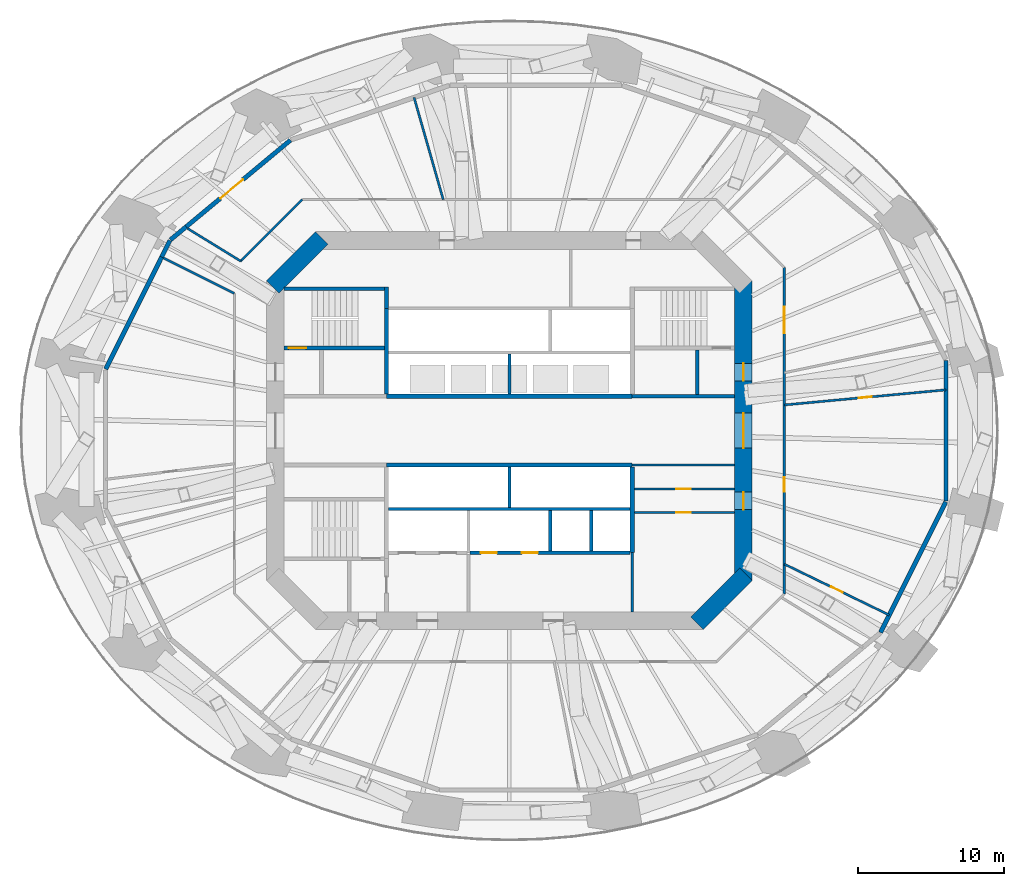
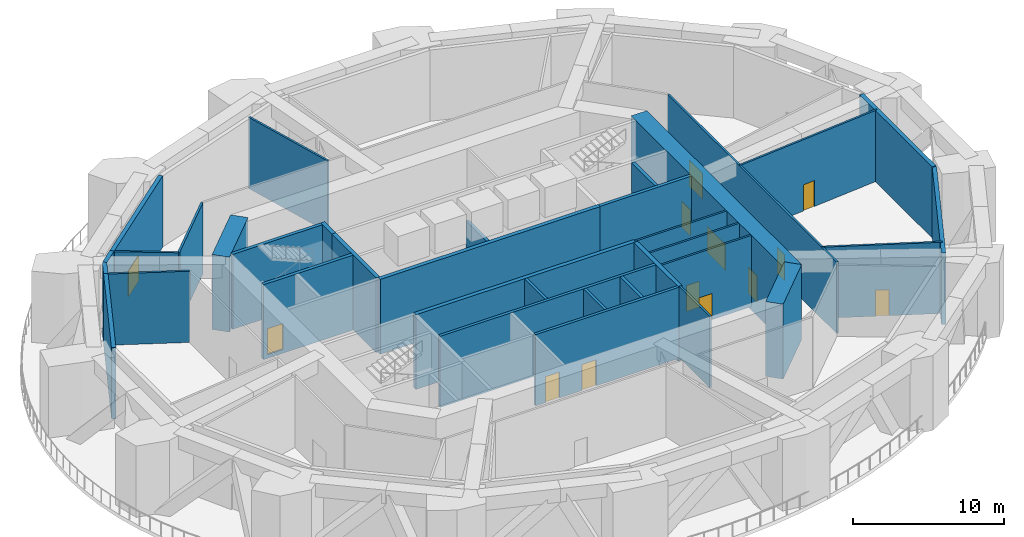
# One storey, part 6 of 12: 35 walls, 13 doors, 13 openings.
"""IFC4 building model written with IfcOpenShell, lengths in metres."""

from ifc_helpers import new_model, si_unit, direction, frame, frame_2d, origin, place, context, subcontext, project, spatial, rectangle, extrude, material, layer, layer_set, type_object, element, fill, save


model = new_model("IFC4")

# Units and contexts
model_context = context("Model", 3, precision=1e-05, world=origin(), true_north=direction((0.0, 1.0)))
body_context = subcontext(model_context, "Body", "Model", "MODEL_VIEW")
ifc_project = project(units=[si_unit("LENGTHUNIT", "METRE"), si_unit("AREAUNIT", "SQUARE_METRE"), si_unit("VOLUMEUNIT", "CUBIC_METRE"), si_unit("PLANEANGLEUNIT", "RADIAN"), si_unit("MASSUNIT", "GRAM", prefix="KILO")], contexts=[model_context])

# Site, building, storey
site_placement = place(None, origin())
site = spatial("IfcSite", under=ifc_project, at=site_placement, CompositionType="ELEMENT")
building_placement = place(site_placement, origin())
building = spatial("IfcBuilding", under=site, at=building_placement, Name="Marenthal Gate Tower", CompositionType="ELEMENT")
storey_placement = place(building_placement, frame((0.0, 0.0, 149.64990234375)))
storey = spatial("IfcBuildingStorey", under=building, at=storey_placement, Name="L32", CompositionType="ELEMENT", Elevation=149.64990234375)

# Wall
ifc_material_1 = material(Name="Concrete 60 MPa", Category="concrete")
ifc_layer_1 = layer(ifc_material_1, 1.199951171875)
ifc_layer_set_1 = layer_set([ifc_layer_1], Name="Core shear wall 1200")
wall_type_1 = type_object("IfcWallType", Name="Core shear wall 1200", PredefinedType="SHEAR", material=ifc_layer_set_1)
wall_1_placement = place(storey_placement, frame((12.82421875, -13.17578125, -0.2998046875), z_axis=(0.0, 0.0, 1.0), x_axis=(0.707106781187, 0.707106781187, 0.0)))
element("IfcWall", 1, at=wall_1_placement, inside=storey, type_object=wall_type_1, Name="Core wall 01", PredefinedType="SHEAR", context=body_context, shape_type="SweptSolid", body=[
    extrude(rectangle(XDim=4.73974609375, YDim=1.199951171875, at=frame_2d((2.369873046875, 0.0))), origin(), (0.0, 0.0, 1.0), 6.0498046875),
])

# Wall, openings, doors
wall_2_placement = place(storey_placement, frame((16.0, -10.24853515625, -0.2998046875), z_axis=(0.0, 0.0, 1.0), x_axis=(0.0, 1.0, 0.0)))
wall_2 = element("IfcWall", 2, at=wall_2_placement, inside=storey, type_object=wall_type_1, Name="Core wall 02", PredefinedType="SHEAR", context=body_context, shape_type="SweptSolid", body=[
    extrude(rectangle(XDim=20.4970703125, YDim=1.199951171875, at=frame_2d((10.24853515625, 0.0))), origin(), (0.0, 0.0, 1.0), 6.0498046875),
])
opening_1_placement = place(wall_2_placement, frame((9.048583984375, 0.0, 0.300048828125)))
opening_1 = element("IfcOpeningElement", 3, at=opening_1_placement, cuts=wall_2, Name="Opening D003.02", PredefinedType="OPENING", context=body_context, shape_type="SweptSolid", body=[
    extrude(rectangle(XDim=2.39990234375, YDim=2.10009765625, at=frame_2d((1.199951171875, 1.050048828125))), frame((0.0, 0.60986328125, 0.0), z_axis=(0.0, -1.0, 0.0), x_axis=(1.0, 0.0, 0.0)), (0.0, 0.0, 1.0), 1.219970703125),
])
opening_2_placement = place(wall_2_placement, frame((13.6484375, 0.0, 0.300048828125)))
opening_2 = element("IfcOpeningElement", 4, at=opening_2_placement, cuts=wall_2, Name="Opening D001.05", PredefinedType="OPENING", context=body_context, shape_type="SweptSolid", body=[
    extrude(rectangle(XDim=1.199951171875, YDim=2.10009765625, at=frame_2d((0.60009765625, 1.050048828125))), frame((0.0, 0.60986328125, 0.0), z_axis=(0.0, -1.0, 0.0), x_axis=(1.0, 0.0, 0.0)), (0.0, 0.0, 1.0), 1.219970703125),
])
opening_3_placement = place(wall_2_placement, frame((4.848388671875, 0.0, 0.300048828125)))
opening_3 = element("IfcOpeningElement", 5, at=opening_3_placement, cuts=wall_2, Name="Opening D006.01", PredefinedType="OPENING", context=body_context, shape_type="SweptSolid", body=[
    extrude(rectangle(XDim=1.199951171875, YDim=2.10009765625, at=frame_2d((0.60009765625, 1.050048828125))), frame((0.0, 0.60986328125, 0.0), z_axis=(0.0, -1.0, 0.0), x_axis=(1.0, 0.0, 0.0)), (0.0, 0.0, 1.0), 1.219970703125),
])
ifc_material_2 = material(Name="Steel fire door", Category="steel")
door_type_1 = type_object("IfcDoorType", Name="Double fire door FD 45 2400 x 2100", OperationType="DOUBLE_DOOR_SINGLE_SWING", PredefinedType="DOOR", material=ifc_material_2)
door_1_placement = place(opening_1_placement, origin())
door_1 = element("IfcDoor", 6, at=door_1_placement, inside=storey, type_object=door_type_1, Name="Door D003.02", OperationType="DOUBLE_DOOR_SINGLE_SWING", OverallHeight=2.10009765625, OverallWidth=2.39990234375, PredefinedType="DOOR", context=body_context, shape_type="SweptSolid", body=[
    extrude(rectangle(XDim=2.39990234375, YDim=2.10009765625, at=frame_2d((1.199951171875, 1.050048828125))), frame((0.0, 0.02490234375, 0.0), z_axis=(0.0, -1.0, 0.0), x_axis=(1.0, 0.0, 0.0)), (0.0, 0.0, 1.0), 0.050048828125),
])
fill(opening_1, door_1)
ifc_material_3 = material(Name="Steel fire door", Category="steel")
door_type_2 = type_object("IfcDoorType", Name="Fire door FD 45 1200 x 2100", OperationType="NOTDEFINED", PredefinedType="DOOR", material=ifc_material_3)
door_2_placement = place(opening_3_placement, origin())
door_2 = element("IfcDoor", 7, at=door_2_placement, inside=storey, type_object=door_type_2, Name="Door D006.01", OperationType="SINGLE_SWING_RIGHT", OverallHeight=2.10009765625, OverallWidth=1.199951171875, PredefinedType="DOOR", context=body_context, shape_type="SweptSolid", body=[
    extrude(rectangle(XDim=1.199951171875, YDim=2.10009765625, at=frame_2d((0.60009765625, 1.050048828125))), frame((0.0, 0.02490234375, 0.0), z_axis=(0.0, -1.0, 0.0), x_axis=(1.0, 0.0, 0.0)), (0.0, 0.0, 1.0), 0.050048828125),
])
fill(opening_3, door_2)
ifc_material_4 = material(Name="Steel fire door", Category="steel")
door_type_3 = type_object("IfcDoorType", Name="Fire door FD 90 1200 x 2100", OperationType="NOTDEFINED", PredefinedType="DOOR", material=ifc_material_4)
door_3_placement = place(opening_2_placement, origin())
door_3 = element("IfcDoor", 8, at=door_3_placement, inside=storey, type_object=door_type_3, Name="Door D001.05", OperationType="SINGLE_SWING_RIGHT", OverallHeight=2.10009765625, OverallWidth=1.199951171875, PredefinedType="DOOR", context=body_context, shape_type="SweptSolid", body=[
    extrude(rectangle(XDim=1.199951171875, YDim=2.10009765625, at=frame_2d((0.60009765625, 1.050048828125))), frame((0.0, 0.02490234375, 0.0), z_axis=(0.0, -1.0, 0.0), x_axis=(1.0, 0.0, 0.0)), (0.0, 0.0, 1.0), 0.050048828125),
])
fill(opening_2, door_3)

# Wall
wall_3_placement = place(storey_placement, frame((-12.82421875, 13.17578125, -0.2998046875), z_axis=(0.0, 0.0, 1.0), x_axis=(-0.707106781187, -0.707106781187, 0.0)))
element("IfcWall", 9, at=wall_3_placement, inside=storey, type_object=wall_type_1, Name="Core wall 05", PredefinedType="SHEAR", context=body_context, shape_type="SweptSolid", body=[
    extrude(rectangle(XDim=4.73974609375, YDim=1.199951171875, at=frame_2d((2.369873046875, 0.0))), origin(), (0.0, 0.0, 1.0), 6.0498046875),
])

# Wall, opening, door
ifc_material_5 = material(Name="Concrete 40 MPa", Category="concrete")
ifc_layer_2 = layer(ifc_material_5, 0.300048828125)
ifc_layer_set_2 = layer_set([ifc_layer_2], Name="External wall 300")
wall_type_2 = type_object("IfcWallType", Name="External wall 300", PredefinedType="STANDARD", material=ifc_layer_set_2)
wall_4_placement = place(storey_placement, frame((-22.09912109375, 13.9404296875, 0.0), z_axis=(0.0, 0.0, 1.0), x_axis=(0.769276667017, 0.638915807899, 0.0)))
wall_4 = element("IfcWall", 10, at=wall_4_placement, inside=storey, type_object=wall_type_2, Name="External wall 52", PredefinedType="STANDARD", context=body_context, shape_type="SweptSolid", body=[
    extrude(rectangle(XDim=9.262939453125, YDim=0.300048828125, at=frame_2d((4.63134765625, 0.0))), origin(), (0.0, 0.0, 1.0), 5.75),
])
opening_4_placement = place(wall_4_placement, frame((3.045166015625, 0.0, 0.0)))
opening_4 = element("IfcOpeningElement", 11, at=opening_4_placement, cuts=wall_4, Name="Opening D018.02", PredefinedType="OPENING", context=body_context, shape_type="SweptSolid", body=[
    extrude(rectangle(XDim=2.0, YDim=2.10009765625, at=frame_2d((1.0, 1.050048828125))), frame((0.0, 0.16015625, 0.0), z_axis=(0.0, -1.0, 0.0), x_axis=(1.0, 0.0, 0.0)), (0.0, 0.0, 1.0), 0.320068359375),
])
ifc_material_6 = material(Name="Steel fire door", Category="steel")
door_type_4 = type_object("IfcDoorType", Name="Double fire door FD 45 2000 x 2100", OperationType="DOUBLE_DOOR_SINGLE_SWING", PredefinedType="DOOR", material=ifc_material_6)
door_4_placement = place(opening_4_placement, origin())
door_4 = element("IfcDoor", 12, at=door_4_placement, inside=storey, type_object=door_type_4, Name="Door D018.02", OperationType="DOUBLE_DOOR_SINGLE_SWING", OverallHeight=2.10009765625, OverallWidth=2.0, PredefinedType="DOOR", context=body_context, shape_type="SweptSolid", body=[
    extrude(rectangle(XDim=2.0, YDim=2.10009765625, at=frame_2d((1.0, 1.050048828125))), frame((0.0, 0.02490234375, 0.0), z_axis=(0.0, -1.0, 0.0), x_axis=(1.0, 0.0, 0.0)), (0.0, 0.0, 1.0), 0.050048828125),
])
fill(opening_4, door_4)

# Walls
wall_5_placement = place(storey_placement, frame((25.382080078125, -13.80078125, 0.0), z_axis=(0.0, 0.0, 1.0), x_axis=(0.446342376017, 0.894862270615, 0.0)))
element("IfcWall", 13, at=wall_5_placement, inside=storey, type_object=wall_type_2, Name="External wall 53", PredefinedType="STANDARD", context=body_context, shape_type="SweptSolid", body=[
    extrude(rectangle(XDim=9.978515625, YDim=0.300048828125, at=frame_2d((4.9892578125, 0.0))), origin(), (0.0, 0.0, 1.0), 5.75),
])
wall_6_placement = place(storey_placement, frame((-27.601318359375, 4.2001953125, 0.0), z_axis=(0.0, 0.0, 1.0), x_axis=(0.446301613172, 0.894882601284, 0.0)))
element("IfcWall", 14, at=wall_6_placement, inside=storey, type_object=wall_type_2, Name="External wall 54", PredefinedType="STANDARD", context=body_context, shape_type="SweptSolid", body=[
    extrude(rectangle(XDim=8.568603515625, YDim=0.300048828125, at=frame_2d((4.2841796875, 0.0))), origin(), (0.0, 0.0, 1.0), 5.75),
])
wall_7_placement = place(storey_placement, frame((29.851806640625, -4.804443359375, 0.0), z_axis=(0.0, 0.0, 1.0), x_axis=(0.0, 1.0, 0.0)))
element("IfcWall", 15, at=wall_7_placement, inside=storey, type_object=wall_type_2, Name="External wall 55", PredefinedType="STANDARD", context=body_context, shape_type="SweptSolid", body=[
    extrude(rectangle(XDim=9.60888671875, YDim=0.300048828125, at=frame_2d((4.804443359375, 0.0))), origin(), (0.0, 0.0, 1.0), 5.75),
])
wall_8_placement = place(storey_placement, frame((-23.17529296875, 13.04638671875, 0.0), z_axis=(0.0, 0.0, 1.0), x_axis=(0.769193012161, 0.639016517816, 0.0)))
element("IfcWall", 16, at=wall_8_placement, inside=storey, type_object=wall_type_2, Name="External wall 63", PredefinedType="STANDARD", context=body_context, shape_type="SweptSolid", body=[
    extrude(rectangle(XDim=1.399169921875, YDim=0.300048828125, at=frame_2d((0.69970703125, 0.0))), origin(), (0.0, 0.0, 1.0), 5.75),
])
wall_9_placement = place(storey_placement, frame((-23.777099609375, 11.8681640625, 0.0), z_axis=(0.0, 0.0, 1.0), x_axis=(0.44628520524, 0.894890784165, 0.0)))
element("IfcWall", 17, at=wall_9_placement, inside=storey, type_object=wall_type_2, Name="External wall 64", PredefinedType="STANDARD", context=body_context, shape_type="SweptSolid", body=[
    extrude(rectangle(XDim=1.2626953125, YDim=0.300048828125, at=frame_2d((0.63134765625, 0.0))), origin(), (0.0, 0.0, 1.0), 5.75),
])
ifc_material_7 = material(Name="Concrete 50 MPa", Category="concrete")
ifc_layer_3 = layer(ifc_material_7, 0.300048828125)
ifc_layer_set_3 = layer_set([ifc_layer_3], Name="Hoistway shear wall 300")
wall_type_3 = type_object("IfcWallType", Name="Hoistway shear wall 300", PredefinedType="SHEAR", material=ifc_layer_set_3)
for number, where, z_axis, x_axis, name in (
    (18, (-8.39990234375, -2.35009765625, -0.2998046875), (0.0, 0.0, 1.0), (1.0, 0.0, 0.0), "Hoistway wall 17"),
    (19, (-8.39990234375, 2.35009765625, -0.2998046875), (0.0, 0.0, 1.0), (1.0, 0.0, 0.0), "Hoistway wall 20"),
):
    element("IfcWall", number, at=place(storey_placement, frame(where, z_axis=z_axis, x_axis=x_axis)), inside=storey, type_object=wall_type_3, Name=name, PredefinedType="SHEAR", context=body_context, shape_type="SweptSolid", body=[
        extrude(rectangle(XDim=16.7998046875, YDim=0.300048828125, at=frame_2d((8.39990234375, 0.0))), origin(), (0.0, 0.0, 1.0), 6.0498046875),
    ])
for number, where, z_axis, x_axis, name in (
    (20, (-8.39990234375, 2.5, -0.2998046875), (0.0, 0.0, 1.0), (0.0, 1.0, 0.0), "Hoistway wall 32"),
    (21, (8.39990234375, -8.35009765625, -0.2998046875), (0.0, 0.0, 1.0), (0.0, 1.0, 0.0), "Hoistway wall 43"),
):
    element("IfcWall", number, at=place(storey_placement, frame(where, z_axis=z_axis, x_axis=x_axis)), inside=storey, type_object=wall_type_3, Name=name, PredefinedType="SHEAR", context=body_context, shape_type="SweptSolid", body=[
        extrude(rectangle(XDim=5.85009765625, YDim=0.300048828125, at=frame_2d((2.925048828125, 0.0))), origin(), (0.0, 0.0, 1.0), 6.0498046875),
    ])

# Wall, openings, doors
ifc_material_8 = material(Name="Concrete 40 MPa", Category="concrete")
ifc_layer_4 = layer(ifc_material_8, 0.219970703125)
ifc_layer_set_4 = layer_set([ifc_layer_4], Name="Hoistway wall 220")
wall_type_4 = type_object("IfcWallType", Name="Hoistway wall 220", PredefinedType="STANDARD", material=ifc_layer_set_4)
wall_10_placement = place(storey_placement, frame((-2.68994140625, -8.35009765625, 0.0), z_axis=(0.0, 0.0, 1.0), x_axis=(1.0, 0.0, 0.0)))
wall_10 = element("IfcWall", 22, at=wall_10_placement, inside=storey, type_object=wall_type_4, Name="Hoistway wall 11", PredefinedType="STANDARD", context=body_context, shape_type="SweptSolid", body=[
    extrude(rectangle(XDim=10.93994140625, YDim=0.219970703125, at=frame_2d((5.469970703125, 0.0))), origin(), (0.0, 0.0, 1.0), 5.75),
])
opening_5_placement = place(wall_10_placement, frame((0.739990234375, 0.0, 0.0)))
opening_5 = element("IfcOpeningElement", 23, at=opening_5_placement, cuts=wall_10, Name="Opening LD-SV1", PredefinedType="OPENING", context=body_context, shape_type="SweptSolid", body=[
    extrude(rectangle(XDim=1.10009765625, YDim=2.10009765625, at=frame_2d((0.550048828125, 1.050048828125))), frame((0.0, 0.1201171875, 0.0), z_axis=(0.0, -1.0, 0.0), x_axis=(1.0, 0.0, 0.0)), (0.0, 0.0, 1.0), 0.239990234375),
])
opening_6_placement = place(wall_10_placement, frame((3.5400390625, 0.0, 0.0)))
opening_6 = element("IfcOpeningElement", 24, at=opening_6_placement, cuts=wall_10, Name="Opening LD-SV2", PredefinedType="OPENING", context=body_context, shape_type="SweptSolid", body=[
    extrude(rectangle(XDim=1.10009765625, YDim=2.10009765625, at=frame_2d((0.550048828125, 1.050048828125))), frame((0.0, 0.1201171875, 0.0), z_axis=(0.0, -1.0, 0.0), x_axis=(1.0, 0.0, 0.0)), (0.0, 0.0, 1.0), 0.239990234375),
])
ifc_material_9 = material(Name="Stainless steel sliding door", Category="steel")
door_type_5 = type_object("IfcDoorType", Name="Lift landing door FD 90 1100 x 2100", OperationType="DOUBLE_DOOR_SLIDING", PredefinedType="DOOR", material=ifc_material_9)
door_5_placement = place(opening_5_placement, origin())
door_5 = element("IfcDoor", 25, at=door_5_placement, inside=storey, type_object=door_type_5, Name="Lift landing door SV1", OperationType="DOUBLE_DOOR_SLIDING", OverallHeight=2.10009765625, OverallWidth=1.10009765625, PredefinedType="DOOR", context=body_context, shape_type="SweptSolid", body=[
    extrude(rectangle(XDim=1.10009765625, YDim=2.10009765625, at=frame_2d((0.550048828125, 1.050048828125))), frame((0.0, 0.02490234375, 0.0), z_axis=(0.0, -1.0, 0.0), x_axis=(1.0, 0.0, 0.0)), (0.0, 0.0, 1.0), 0.050048828125),
])
fill(opening_5, door_5)
door_6_placement = place(opening_6_placement, origin())
door_6 = element("IfcDoor", 26, at=door_6_placement, inside=storey, type_object=door_type_5, Name="Lift landing door SV2", OperationType="DOUBLE_DOOR_SLIDING", OverallHeight=2.10009765625, OverallWidth=1.10009765625, PredefinedType="DOOR", context=body_context, shape_type="SweptSolid", body=[
    extrude(rectangle(XDim=1.10009765625, YDim=2.10009765625, at=frame_2d((0.550048828125, 1.050048828125))), frame((0.0, 0.02490234375, 0.0), z_axis=(0.0, -1.0, 0.0), x_axis=(1.0, 0.0, 0.0)), (0.0, 0.0, 1.0), 0.050048828125),
])
fill(opening_6, door_6)

# Walls
wall_11_placement = place(storey_placement, frame((-8.25, -5.35009765625, 0.0), z_axis=(0.0, 0.0, 1.0), x_axis=(1.0, 0.0, 0.0)))
element("IfcWall", 27, at=wall_11_placement, inside=storey, type_object=wall_type_4, Name="Hoistway wall 13", PredefinedType="STANDARD", context=body_context, shape_type="SweptSolid", body=[
    extrude(rectangle(XDim=16.5, YDim=0.219970703125, at=frame_2d((8.25, 0.0))), origin(), (0.0, 0.0, 1.0), 5.75),
])
for number, where, z_axis, x_axis, name in (
    (28, (0.0, -5.239990234375, 0.0), (0.0, 0.0, 1.0), (0.0, 1.0, 0.0), "Hoistway wall 36"),
    (29, (0.0, 2.5, 0.0), (0.0, 0.0, 1.0), (0.0, 1.0, 0.0), "Hoistway wall 37"),
):
    element("IfcWall", number, at=place(storey_placement, frame(where, z_axis=z_axis, x_axis=x_axis)), inside=storey, type_object=wall_type_4, Name=name, PredefinedType="STANDARD", context=body_context, shape_type="SweptSolid", body=[
        extrude(rectangle(XDim=2.739990234375, YDim=0.219970703125, at=frame_2d((1.3701171875, 0.0))), origin(), (0.0, 0.0, 1.0), 5.75),
    ])
for number, where, z_axis, x_axis, name in (
    (30, (2.800048828125, -8.239990234375, 0.0), (0.0, 0.0, 1.0), (0.0, 1.0, 0.0), "Hoistway wall 38"),
    (31, (5.60009765625, -8.239990234375, 0.0), (0.0, 0.0, 1.0), (0.0, 1.0, 0.0), "Hoistway wall 41"),
):
    element("IfcWall", number, at=place(storey_placement, frame(where, z_axis=z_axis, x_axis=x_axis)), inside=storey, type_object=wall_type_4, Name=name, PredefinedType="STANDARD", context=body_context, shape_type="SweptSolid", body=[
        extrude(rectangle(XDim=2.780029296875, YDim=0.219970703125, at=frame_2d((1.39013671875, 0.0))), origin(), (0.0, 0.0, 1.0), 5.75),
    ])

# Wall, opening, door
ifc_material_10 = material(Name="Gypsum board on steel studs", Category="steel")
ifc_layer_5 = layer(ifc_material_10, 0.14990234375)
ifc_layer_set_5 = layer_set([ifc_layer_5], Name="Partition 150")
wall_type_5 = type_object("IfcWallType", Name="Partition 150", PredefinedType="PARTITIONING", material=ifc_layer_set_5)
wall_12_placement = place(storey_placement, frame((8.550048828125, -5.60009765625, 0.0), z_axis=(0.0, 0.0, 1.0), x_axis=(1.0, 0.0, 0.0)))
wall_12 = element("IfcWall", 32, at=wall_12_placement, inside=storey, type_object=wall_type_5, Name="Partition wall 12", PredefinedType="PARTITIONING", context=body_context, shape_type="SweptSolid", body=[
    extrude(rectangle(XDim=6.849853515625, YDim=0.14990234375, at=frame_2d((3.4248046875, 0.0))), origin(), (0.0, 0.0, 1.0), 5.75),
])
opening_7_placement = place(wall_12_placement, frame((2.85009765625, 0.0, 0.0)))
opening_7 = element("IfcOpeningElement", 33, at=opening_7_placement, cuts=wall_12, Name="Opening D005.04", PredefinedType="OPENING", context=body_context, shape_type="SweptSolid", body=[
    extrude(rectangle(XDim=1.0, YDim=2.10009765625, at=frame_2d((0.5, 1.050048828125))), frame((0.0, 0.0849609375, 0.0), z_axis=(0.0, -1.0, 0.0), x_axis=(1.0, 0.0, 0.0)), (0.0, 0.0, 1.0), 0.169921875),
])
ifc_material_11 = material(Name="Steel fire door", Category="steel")
door_type_6 = type_object("IfcDoorType", Name="Fire door FD 45 1000 x 2100", OperationType="NOTDEFINED", PredefinedType="DOOR", material=ifc_material_11)
door_7_placement = place(opening_7_placement, frame((1.0, 0.0, 0.0), z_axis=(0.0, 0.0, 1.0), x_axis=(-1.0, 0.0, 0.0)))
door_7 = element("IfcDoor", 34, at=door_7_placement, inside=storey, type_object=door_type_6, Name="Door D005.04", OperationType="SINGLE_SWING_LEFT", OverallHeight=2.10009765625, OverallWidth=1.0, PredefinedType="DOOR", context=body_context, shape_type="SweptSolid", body=[
    extrude(rectangle(XDim=1.0, YDim=2.10009765625, at=frame_2d((0.5, 1.050048828125))), frame((0.0, 0.02490234375, 0.0), z_axis=(0.0, -1.0, 0.0), x_axis=(1.0, 0.0, 0.0)), (0.0, 0.0, 1.0), 0.050048828125),
])
fill(opening_7, door_7)

wall_13_placement = place(storey_placement, frame((8.550048828125, -4.0, 0.0), z_axis=(0.0, 0.0, 1.0), x_axis=(1.0, 0.0, 0.0)))
wall_13 = element("IfcWall", 35, at=wall_13_placement, inside=storey, type_object=wall_type_5, Name="Partition wall 15", PredefinedType="PARTITIONING", context=body_context, shape_type="SweptSolid", body=[
    extrude(rectangle(XDim=6.849853515625, YDim=0.14990234375, at=frame_2d((3.4248046875, 0.0))), origin(), (0.0, 0.0, 1.0), 5.75),
])
opening_8_placement = place(wall_13_placement, frame((2.85009765625, 0.0, 0.0)))
opening_8 = element("IfcOpeningElement", 36, at=opening_8_placement, cuts=wall_13, Name="Opening D005.03", PredefinedType="OPENING", context=body_context, shape_type="SweptSolid", body=[
    extrude(rectangle(XDim=1.0, YDim=2.10009765625, at=frame_2d((0.5, 1.050048828125))), frame((0.0, 0.0849609375, 0.0), z_axis=(0.0, -1.0, 0.0), x_axis=(1.0, 0.0, 0.0)), (0.0, 0.0, 1.0), 0.169921875),
])
door_8_placement = place(opening_8_placement, origin())
door_8 = element("IfcDoor", 37, at=door_8_placement, inside=storey, type_object=door_type_6, Name="Door D005.03", OperationType="SINGLE_SWING_RIGHT", OverallHeight=2.10009765625, OverallWidth=1.0, PredefinedType="DOOR", context=body_context, shape_type="SweptSolid", body=[
    extrude(rectangle(XDim=1.0, YDim=2.10009765625, at=frame_2d((0.5, 1.050048828125))), frame((0.0, 0.02490234375, 0.0), z_axis=(0.0, -1.0, 0.0), x_axis=(1.0, 0.0, 0.0)), (0.0, 0.0, 1.0), 0.050048828125),
])
fill(opening_8, door_8)

# Walls
wall_14_placement = place(storey_placement, frame((8.39990234375, -2.35009765625, 0.0), z_axis=(0.0, 0.0, 1.0), x_axis=(1.0, 0.0, 0.0)))
element("IfcWall", 38, at=wall_14_placement, inside=storey, type_object=wall_type_5, Name="Partition wall 18", PredefinedType="PARTITIONING", context=body_context, shape_type="SweptSolid", body=[
    extrude(rectangle(XDim=7.0, YDim=0.14990234375, at=frame_2d((3.5, 0.0))), origin(), (0.0, 0.0, 1.0), 5.75),
])
wall_15_placement = place(storey_placement, frame((8.39990234375, -12.39990234375, 0.0), z_axis=(0.0, 0.0, 1.0), x_axis=(0.0, 1.0, 0.0)))
element("IfcWall", 39, at=wall_15_placement, inside=storey, type_object=wall_type_5, Name="Partition wall 42", PredefinedType="PARTITIONING", context=body_context, shape_type="SweptSolid", body=[
    extrude(rectangle(XDim=4.0498046875, YDim=0.14990234375, at=frame_2d((2.02490234375, 0.0))), origin(), (0.0, 0.0, 1.0), 5.75),
])

# Wall, opening, door
wall_16_placement = place(storey_placement, frame((18.800048828125, 1.755615234375, 0.0), z_axis=(0.0, 0.0, 1.0), x_axis=(0.99566661534, 0.092994575631, 0.0)))
wall_16 = element("IfcWall", 40, at=wall_16_placement, inside=storey, type_object=wall_type_5, Name="Partition wall 67", PredefinedType="PARTITIONING", context=body_context, shape_type="SweptSolid", body=[
    extrude(rectangle(XDim=11.099853515625, YDim=0.14990234375, at=frame_2d((5.5498046875, 0.0))), origin(), (0.0, 0.0, 1.0), 5.75),
])
opening_9_placement = place(wall_16_placement, frame((5.099853515625, 0.0, 0.0)))
opening_9 = element("IfcOpeningElement", 41, at=opening_9_placement, cuts=wall_16, Name="Opening D010.01", PredefinedType="OPENING", context=body_context, shape_type="SweptSolid", body=[
    extrude(rectangle(XDim=0.89990234375, YDim=2.10009765625, at=frame_2d((0.449951171875, 1.050048828125))), frame((0.0, 0.0849609375, 0.0), z_axis=(0.0, -1.0, 0.0), x_axis=(1.0, 0.0, 0.0)), (0.0, 0.0, 1.0), 0.169921875),
])
ifc_material_12 = material(Name="Steel fire door", Category="steel")
door_type_7 = type_object("IfcDoorType", Name="Fire door FD 45 900 x 2100", OperationType="NOTDEFINED", PredefinedType="DOOR", material=ifc_material_12)
door_9_placement = place(opening_9_placement, origin())
door_9 = element("IfcDoor", 42, at=door_9_placement, inside=storey, type_object=door_type_7, Name="Door D010.01", OperationType="SINGLE_SWING_RIGHT", OverallHeight=2.10009765625, OverallWidth=0.89990234375, PredefinedType="DOOR", context=body_context, shape_type="SweptSolid", body=[
    extrude(rectangle(XDim=0.89990234375, YDim=2.10009765625, at=frame_2d((0.449951171875, 1.050048828125))), frame((0.0, 0.02490234375, 0.0), z_axis=(0.0, -1.0, 0.0), x_axis=(1.0, 0.0, 0.0)), (0.0, 0.0, 1.0), 0.050048828125),
])
fill(opening_9, door_9)

# Wall
wall_17_placement = place(storey_placement, frame((-18.374755859375, 11.585205078125, 0.0), z_axis=(0.0, 0.0, 1.0), x_axis=(0.707106781187, 0.707106781187, 0.0)))
element("IfcWall", 43, at=wall_17_placement, inside=storey, type_object=wall_type_5, Name="Partition wall 73", PredefinedType="PARTITIONING", context=body_context, shape_type="SweptSolid", body=[
    extrude(rectangle(XDim=5.960693359375, YDim=0.14990234375, at=frame_2d((2.98046875, 0.0))), origin(), (0.0, 0.0, 1.0), 5.75),
])

# Wall, openings, doors
wall_18_placement = place(storey_placement, frame((18.800048828125, -11.159912109375, 0.0), z_axis=(0.0, 0.0, 1.0), x_axis=(0.0, 1.0, 0.0)))
wall_18 = element("IfcWall", 44, at=wall_18_placement, inside=storey, type_object=wall_type_5, Name="Partition wall 77", PredefinedType="PARTITIONING", context=body_context, shape_type="SweptSolid", body=[
    extrude(rectangle(XDim=22.31982421875, YDim=0.14990234375, at=frame_2d((11.159912109375, 0.0))), origin(), (0.0, 0.0, 1.0), 5.75),
])
opening_10_placement = place(wall_18_placement, frame((17.817138671875, 0.0, 0.0)))
opening_10 = element("IfcOpeningElement", 45, at=opening_10_placement, cuts=wall_18, Name="Opening D007.01", PredefinedType="OPENING", context=body_context, shape_type="SweptSolid", body=[
    extrude(rectangle(XDim=1.800048828125, YDim=2.10009765625, at=frame_2d((0.89990234375, 1.050048828125))), frame((0.0, 0.0849609375, 0.0), z_axis=(0.0, -1.0, 0.0), x_axis=(1.0, 0.0, 0.0)), (0.0, 0.0, 1.0), 0.169921875),
])
opening_11_placement = place(wall_18_placement, frame((6.973876953125, 0.0, 0.0)))
opening_11 = element("IfcOpeningElement", 46, at=opening_11_placement, cuts=wall_18, Name="Opening D005.09", PredefinedType="OPENING", context=body_context, shape_type="SweptSolid", body=[
    extrude(rectangle(XDim=1.0, YDim=2.10009765625, at=frame_2d((0.5, 1.050048828125))), frame((0.0, 0.0849609375, 0.0), z_axis=(0.0, -1.0, 0.0), x_axis=(1.0, 0.0, 0.0)), (0.0, 0.0, 1.0), 0.169921875),
])
ifc_material_13 = material(Name="Steel fire door", Category="steel")
door_type_8 = type_object("IfcDoorType", Name="Double fire door FD 45 1800 x 2100", OperationType="DOUBLE_DOOR_SINGLE_SWING", PredefinedType="DOOR", material=ifc_material_13)
door_10_placement = place(opening_10_placement, origin())
door_10 = element("IfcDoor", 47, at=door_10_placement, inside=storey, type_object=door_type_8, Name="Door D007.01", OperationType="DOUBLE_DOOR_SINGLE_SWING", OverallHeight=2.10009765625, OverallWidth=1.800048828125, PredefinedType="DOOR", context=body_context, shape_type="SweptSolid", body=[
    extrude(rectangle(XDim=1.800048828125, YDim=2.10009765625, at=frame_2d((0.89990234375, 1.050048828125))), frame((0.0, 0.02490234375, 0.0), z_axis=(0.0, -1.0, 0.0), x_axis=(1.0, 0.0, 0.0)), (0.0, 0.0, 1.0), 0.050048828125),
])
fill(opening_10, door_10)
door_11_placement = place(opening_11_placement, frame((1.0, 0.0, 0.0), z_axis=(0.0, 0.0, 1.0), x_axis=(-1.0, 0.0, 0.0)))
door_11 = element("IfcDoor", 48, at=door_11_placement, inside=storey, type_object=door_type_6, Name="Door D005.09", OperationType="SINGLE_SWING_LEFT", OverallHeight=2.10009765625, OverallWidth=1.0, PredefinedType="DOOR", context=body_context, shape_type="SweptSolid", body=[
    extrude(rectangle(XDim=1.0, YDim=2.10009765625, at=frame_2d((0.5, 1.050048828125))), frame((0.0, 0.02490234375, 0.0), z_axis=(0.0, -1.0, 0.0), x_axis=(1.0, 0.0, 0.0)), (0.0, 0.0, 1.0), 0.050048828125),
])
fill(opening_11, door_11)

# Walls
wall_19_placement = place(storey_placement, frame((-4.521484375, 15.800048828125, 0.0), z_axis=(0.0, 0.0, 1.0), x_axis=(-0.275134292372, 0.961405804622, 0.0)))
element("IfcWall", 49, at=wall_19_placement, inside=storey, type_object=wall_type_5, Name="Partition wall 81", PredefinedType="PARTITIONING", context=body_context, shape_type="SweptSolid", body=[
    extrude(rectangle(XDim=7.257568359375, YDim=0.14990234375, at=frame_2d((3.62890625, 0.0))), origin(), (0.0, 0.0, 1.0), 5.75),
])
wall_20_placement = place(storey_placement, frame((-18.37109375, 11.588623046875, 0.0), z_axis=(0.0, 0.0, 1.0), x_axis=(-0.85191622945, 0.523678086233, 0.0)))
element("IfcWall", 50, at=wall_20_placement, inside=storey, type_object=wall_type_5, Name="Partition wall 85", PredefinedType="PARTITIONING", context=body_context, shape_type="SweptSolid", body=[
    extrude(rectangle(XDim=4.255859375, YDim=0.14990234375, at=frame_2d((2.1279296875, 0.0))), origin(), (0.0, 0.0, 1.0), 5.75),
])
wall_21_placement = place(storey_placement, frame((-18.800048828125, 9.3837890625, 0.0), z_axis=(0.0, 0.0, 1.0), x_axis=(-0.894724139407, 0.446619205098, 0.0)))
element("IfcWall", 51, at=wall_21_placement, inside=storey, type_object=wall_type_5, Name="Partition wall 87", PredefinedType="PARTITIONING", context=body_context, shape_type="SweptSolid", body=[
    extrude(rectangle(XDim=5.422607421875, YDim=0.14990234375, at=frame_2d((2.71142578125, 0.0))), origin(), (0.0, 0.0, 1.0), 5.75),
])

# Wall, opening, door
wall_22_placement = place(storey_placement, frame((25.975341796875, -12.611083984375, 0.0), z_axis=(0.0, 0.0, 1.0), x_axis=(-0.899582038608, 0.436751824053, 0.0)))
wall_22 = element("IfcWall", 52, at=wall_22_placement, inside=storey, type_object=wall_type_5, Name="Partition wall 88", PredefinedType="PARTITIONING", context=body_context, shape_type="SweptSolid", body=[
    extrude(rectangle(XDim=7.976318359375, YDim=0.14990234375, at=frame_2d((3.98828125, 0.0))), origin(), (0.0, 0.0, 1.0), 5.75),
])
opening_12_placement = place(wall_22_placement, frame((3.5380859375, 0.0, 0.0)))
opening_12 = element("IfcOpeningElement", 53, at=opening_12_placement, cuts=wall_22, Name="Opening D010.06", PredefinedType="OPENING", context=body_context, shape_type="SweptSolid", body=[
    extrude(rectangle(XDim=0.89990234375, YDim=2.10009765625, at=frame_2d((0.449951171875, 1.050048828125))), frame((0.0, 0.0849609375, 0.0), z_axis=(0.0, -1.0, 0.0), x_axis=(1.0, 0.0, 0.0)), (0.0, 0.0, 1.0), 0.169921875),
])
door_12_placement = place(opening_12_placement, origin())
door_12 = element("IfcDoor", 54, at=door_12_placement, inside=storey, type_object=door_type_7, Name="Door D010.06", OperationType="SINGLE_SWING_RIGHT", OverallHeight=2.10009765625, OverallWidth=0.89990234375, PredefinedType="DOOR", context=body_context, shape_type="SweptSolid", body=[
    extrude(rectangle(XDim=0.89990234375, YDim=2.10009765625, at=frame_2d((0.449951171875, 1.050048828125))), frame((0.0, 0.02490234375, 0.0), z_axis=(0.0, -1.0, 0.0), x_axis=(1.0, 0.0, 0.0)), (0.0, 0.0, 1.0), 0.050048828125),
])
fill(opening_12, door_12)

# Walls
ifc_material_14 = material(Name="Concrete 40 MPa", Category="concrete")
ifc_layer_6 = layer(ifc_material_14, 0.25)
ifc_layer_set_6 = layer_set([ifc_layer_6], Name="Stair enclosure wall 250")
wall_type_6 = type_object("IfcWallType", Name="Stair enclosure wall 250", PredefinedType="STANDARD", material=ifc_layer_set_6)
wall_23_placement = place(storey_placement, frame((8.39990234375, 2.35009765625, 0.0), z_axis=(0.0, 0.0, 1.0), x_axis=(1.0, 0.0, 0.0)))
element("IfcWall", 55, at=wall_23_placement, inside=storey, type_object=wall_type_6, Name="Stair wall 21", PredefinedType="STANDARD", context=body_context, shape_type="SweptSolid", body=[
    extrude(rectangle(XDim=7.0, YDim=0.25, at=frame_2d((3.5, 0.0))), origin(), (0.0, 0.0, 1.0), 5.75),
])
wall_24_placement = place(storey_placement, frame((12.85009765625, 2.47509765625, 0.0), z_axis=(0.0, 0.0, 1.0), x_axis=(0.0, 1.0, 0.0)))
element("IfcWall", 56, at=wall_24_placement, inside=storey, type_object=wall_type_6, Name="Stair wall 46", PredefinedType="STANDARD", context=body_context, shape_type="SweptSolid", body=[
    extrude(rectangle(XDim=3.0498046875, YDim=0.25, at=frame_2d((1.52490234375, 0.0))), origin(), (0.0, 0.0, 1.0), 5.75),
])

# Wall, opening, door
ifc_material_15 = material(Name="Concrete 50 MPa", Category="concrete")
ifc_layer_7 = layer(ifc_material_15, 0.25)
ifc_layer_set_7 = layer_set([ifc_layer_7], Name="Stair shear wall 250")
wall_type_7 = type_object("IfcWallType", Name="Stair shear wall 250", PredefinedType="SHEAR", material=ifc_layer_set_7)
wall_25_placement = place(storey_placement, frame((-15.39990234375, 5.64990234375, -0.2998046875), z_axis=(0.0, 0.0, 1.0), x_axis=(1.0, 0.0, 0.0)))
wall_25 = element("IfcWall", 57, at=wall_25_placement, inside=storey, type_object=wall_type_7, Name="Stair wall 23", PredefinedType="SHEAR", context=body_context, shape_type="SweptSolid", body=[
    extrude(rectangle(XDim=6.849853515625, YDim=0.25, at=frame_2d((3.4248046875, 0.0))), origin(), (0.0, 0.0, 1.0), 6.0498046875),
])
opening_13_placement = place(wall_25_placement, frame((0.300048828125, 0.0, 0.300048828125)))
opening_13 = element("IfcOpeningElement", 58, at=opening_13_placement, cuts=wall_25, Name="Opening D001.01", PredefinedType="OPENING", context=body_context, shape_type="SweptSolid", body=[
    extrude(rectangle(XDim=1.199951171875, YDim=2.10009765625, at=frame_2d((0.60009765625, 1.050048828125))), frame((0.0, 0.135009765625, 0.0), z_axis=(0.0, -1.0, 0.0), x_axis=(1.0, 0.0, 0.0)), (0.0, 0.0, 1.0), 0.27001953125),
])
door_13_placement = place(opening_13_placement, origin())
door_13 = element("IfcDoor", 59, at=door_13_placement, inside=storey, type_object=door_type_3, Name="Door D001.01", OperationType="SINGLE_SWING_RIGHT", OverallHeight=2.10009765625, OverallWidth=1.199951171875, PredefinedType="DOOR", context=body_context, shape_type="SweptSolid", body=[
    extrude(rectangle(XDim=1.199951171875, YDim=2.10009765625, at=frame_2d((0.60009765625, 1.050048828125))), frame((0.0, 0.02490234375, 0.0), z_axis=(0.0, -1.0, 0.0), x_axis=(1.0, 0.0, 0.0)), (0.0, 0.0, 1.0), 0.050048828125),
])
fill(opening_13, door_13)

# Walls
wall_26_placement = place(storey_placement, frame((-15.39990234375, 9.699951171875, -0.2998046875), z_axis=(0.0, 0.0, 1.0), x_axis=(1.0, 0.0, 0.0)))
element("IfcWall", 60, at=wall_26_placement, inside=storey, type_object=wall_type_7, Name="Stair wall 26", PredefinedType="SHEAR", context=body_context, shape_type="SweptSolid", body=[
    extrude(rectangle(XDim=6.849853515625, YDim=0.25, at=frame_2d((3.4248046875, 0.0))), origin(), (0.0, 0.0, 1.0), 6.0498046875),
])
ifc_material_16 = material(Name="Concrete 50 MPa", Category="concrete")
ifc_layer_8 = layer(ifc_material_16, 0.300048828125)
ifc_layer_set_8 = layer_set([ifc_layer_8], Name="Stair shear wall 300")
wall_type_8 = type_object("IfcWallType", Name="Stair shear wall 300", PredefinedType="SHEAR", material=ifc_layer_set_8)
wall_27_placement = place(storey_placement, frame((-8.39990234375, 8.35009765625, -0.2998046875), z_axis=(0.0, 0.0, 1.0), x_axis=(0.0, 1.0, 0.0)))
element("IfcWall", 61, at=wall_27_placement, inside=storey, type_object=wall_type_8, Name="Stair wall 33", PredefinedType="SHEAR", context=body_context, shape_type="SweptSolid", body=[
    extrude(rectangle(XDim=1.474853515625, YDim=0.300048828125, at=frame_2d((0.7373046875, 0.0))), origin(), (0.0, 0.0, 1.0), 6.0498046875),
])

save(model, "model.ifc")
